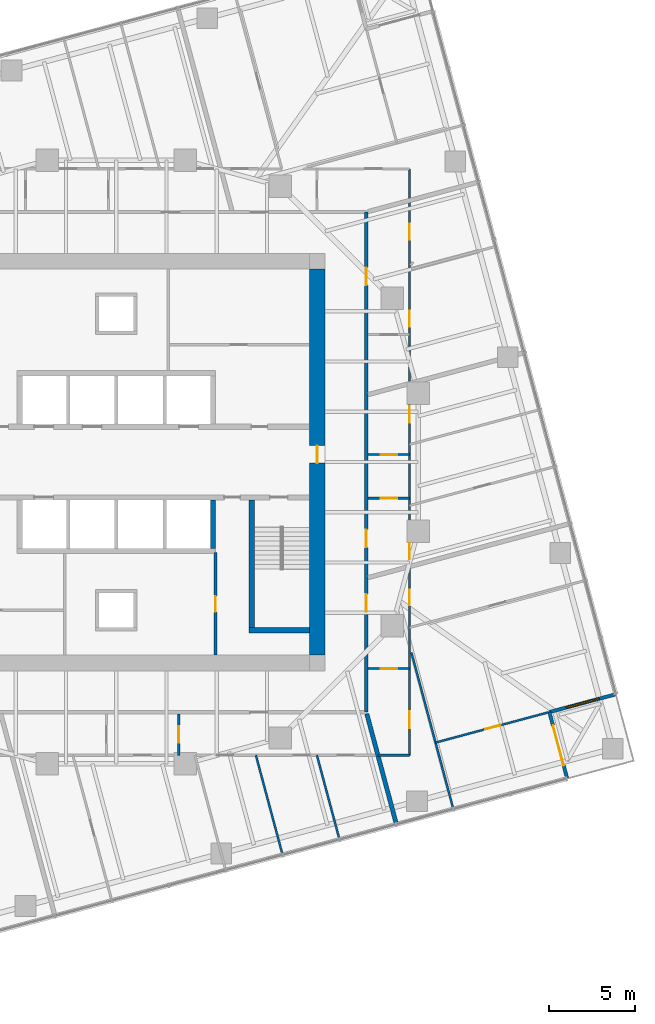
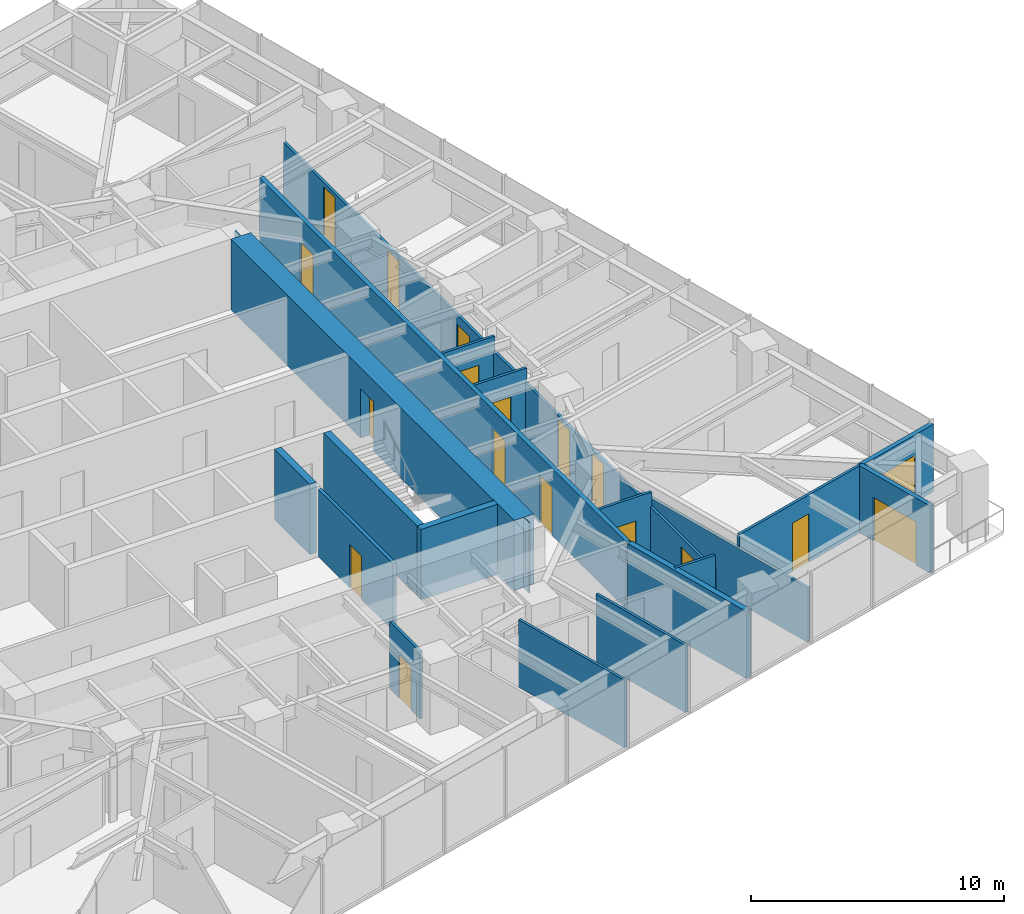
# One storey, part 10 of 14: 19 walls, 17 doors, 1 window, 18 openings.
"""IFC4 building model written with IfcOpenShell, lengths in metres."""

from ifc_helpers import new_model, si_unit, direction, frame, frame_2d, origin, place, context, subcontext, project, spatial, polyline, rectangle, outline, extrude, material, layer, layer_set, type_object, element, fill, save


model = new_model("IFC4")

# Units and contexts
model_context = context("Model", 3, precision=1e-05, world=origin(), true_north=direction((0.0, 1.0)))
body_context = subcontext(model_context, "Body", "Model", "MODEL_VIEW")
ifc_project = project(units=[si_unit("LENGTHUNIT", "METRE"), si_unit("AREAUNIT", "SQUARE_METRE"), si_unit("VOLUMEUNIT", "CUBIC_METRE"), si_unit("PLANEANGLEUNIT", "RADIAN"), si_unit("MASSUNIT", "GRAM", prefix="KILO")], contexts=[model_context])

# Site, building, storey
site_placement = place(None, origin())
site = spatial("IfcSite", under=ifc_project, at=site_placement, CompositionType="ELEMENT")
building_placement = place(site_placement, origin())
building = spatial("IfcBuilding", under=site, at=building_placement, Name="Torsade Residences", CompositionType="ELEMENT")
storey_placement = place(building_placement, frame((0.0, 0.0, 111.60009765625)))
storey = spatial("IfcBuildingStorey", under=building, at=storey_placement, Name="L30", CompositionType="ELEMENT", Elevation=111.60009765625)

# Walls
ifc_material_1 = material(Name="Concrete 80 MPa", Category="concrete")
ifc_layer_1 = layer(ifc_material_1, 0.300048828125)
ifc_layer_set_1 = layer_set([ifc_layer_1], Name="Concrete 80 MPa")
wall_type_1 = type_object("IfcWallType", Name="CORE INTERNAL WALL 300", PredefinedType="SHEAR", material=ifc_layer_set_1)
wall_1_placement = place(storey_placement, frame((45.60009765625, 27.800048828125, 0.0), z_axis=(0.0, 0.0, 1.0), x_axis=(0.0, -1.0, 0.0)))
element("IfcWall", 1, at=wall_1_placement, inside=storey, type_object=wall_type_1, Name="Core wall DS0 L30", PredefinedType="SHEAR", context=body_context, shape_type="SweptSolid", body=[
    extrude(rectangle(XDim=2.800048828125, YDim=0.300048828125, at=frame_2d((1.39990234375, 0.0))), origin(), (0.0, 0.0, 1.0), 3.39990234375),
])
wall_2_placement = place(storey_placement, frame((47.85009765625, 27.800048828125, 0.0), z_axis=(0.0, 0.0, 1.0), x_axis=(0.0, -1.0, 0.0)))
element("IfcWall", 2, at=wall_2_placement, inside=storey, type_object=wall_type_1, Name="Core wall ST2W L30", PredefinedType="SHEAR", context=body_context, shape_type="SweptSolid", body=[
    extrude(rectangle(XDim=7.699951171875, YDim=0.300048828125, at=frame_2d((3.85009765625, 0.0))), origin(), (0.0, 0.0, 1.0), 3.39990234375),
])
wall_3_placement = place(storey_placement, frame((51.199951171875, 20.25, 0.0), z_axis=(0.0, 0.0, 1.0), x_axis=(-1.0, 0.0, 0.0)))
element("IfcWall", 3, at=wall_3_placement, inside=storey, type_object=wall_type_1, Name="Core wall ST2S L30", PredefinedType="SHEAR", context=body_context, shape_type="SweptSolid", body=[
    extrude(rectangle(XDim=3.5, YDim=0.300048828125, at=frame_2d((1.75, 0.0))), origin(), (0.0, 0.0, 1.0), 3.39990234375),
])

# Wall, opening, door
ifc_material_2 = material(Name="Concrete 80 MPa", Category="concrete")
ifc_layer_2 = layer(ifc_material_2, 0.89990234375)
ifc_layer_set_2 = layer_set([ifc_layer_2], Name="Concrete 80 MPa")
wall_type_2 = type_object("IfcWallType", Name="CORE WALL 900", PredefinedType="SHEAR", material=ifc_layer_set_2)
wall_4_placement = place(storey_placement, frame((51.64990234375, 18.800048828125, 0.0), z_axis=(0.0, 0.0, 1.0), x_axis=(0.0, 1.0, 0.0)))
wall_4 = element("IfcWall", 4, at=wall_4_placement, inside=storey, type_object=wall_type_2, Name="Core wall E L30", PredefinedType="SHEAR", context=body_context, shape_type="SweptSolid", body=[
    extrude(outline(polyline([(0.0, -0.449951171875), (22.39990234375, -0.449951171875), (22.39990234375, -0.02490234375), (22.849853515625, -0.02490234375), (22.849853515625, 0.02490234375), (22.39990234375, 0.02490234375), (22.39990234375, 0.449951171875), (0.0, 0.449951171875), (0.0, 0.02490234375), (-0.449951171875, 0.02490234375), (-0.449951171875, -0.02490234375), (0.0, -0.02490234375), (0.0, -0.449951171875)])), origin(), (0.0, 0.0, 1.0), 3.39990234375),
])
opening_1_placement = place(wall_4_placement, frame((11.139892578125, 0.0, 0.0)))
opening_1 = element("IfcOpeningElement", 5, at=opening_1_placement, cuts=wall_4, Name="Opening D04", PredefinedType="OPENING", context=body_context, shape_type="SweptSolid", body=[
    extrude(rectangle(XDim=1.02001953125, YDim=2.39990234375, at=frame_2d((0.510009765625, 1.199951171875))), frame((0.0, 0.4599609375, 0.0), z_axis=(0.0, -1.0, 0.0), x_axis=(1.0, 0.0, 0.0)), (0.0, 0.0, 1.0), 0.919921875),
])
ifc_material_3 = material(Name="Steel-framed fire door", Category="steel")
door_type_1 = type_object("IfcDoorType", Name="LOBBY SMOKE DOOR 1020x2400", OperationType="NOTDEFINED", PredefinedType="DOOR", material=ifc_material_3)
door_1_placement = place(opening_1_placement, origin())
door_1 = element("IfcDoor", 6, at=door_1_placement, inside=storey, type_object=door_type_1, Name="Lift lobby door E L30", OperationType="SINGLE_SWING_LEFT", OverallHeight=2.39990234375, OverallWidth=1.02001953125, PredefinedType="DOOR", context=body_context, shape_type="SweptSolid", body=[
    extrude(rectangle(XDim=1.02001953125, YDim=2.39990234375, at=frame_2d((0.510009765625, 1.199951171875))), frame((0.0, 0.02490234375, 0.0), z_axis=(0.0, -1.0, 0.0), x_axis=(1.0, 0.0, 0.0)), (0.0, 0.0, 1.0), 0.050048828125),
])
fill(opening_1, door_1)

# Wall, openings, doors
ifc_material_4 = material(Name="Plasterboard on steel stud", Category="steel")
ifc_layer_3 = layer(ifc_material_4, 0.199951171875)
ifc_layer_set_3 = layer_set([ifc_layer_3], Name="Plasterboard on steel stud")
wall_type_3 = type_object("IfcWallType", Name="CORRIDOR WALL 200", PredefinedType="PARTITIONING", material=ifc_layer_set_3)
wall_5_placement = place(storey_placement, frame((54.5, 15.5, 0.0), z_axis=(0.0, 0.0, 1.0), x_axis=(0.0, 1.0, 0.0)))
wall_5 = element("IfcWall", 7, at=wall_5_placement, inside=storey, type_object=wall_type_3, Name="Corridor wall L30", PredefinedType="PARTITIONING", context=body_context, shape_type="SweptSolid", body=[
    extrude(rectangle(XDim=29.0, YDim=0.199951171875, at=frame_2d((14.5, 0.0))), origin(), (0.0, 0.0, 1.0), 3.25),
])
opening_2_placement = place(wall_5_placement, frame((24.760009765625, 0.0, 0.0)))
opening_2 = element("IfcOpeningElement", 8, at=opening_2_placement, cuts=wall_5, Name="Opening D01L", PredefinedType="OPENING", context=body_context, shape_type="SweptSolid", body=[
    extrude(rectangle(XDim=1.02001953125, YDim=2.10009765625, at=frame_2d((0.510009765625, 1.050048828125))), frame((0.0, 0.10986328125, 0.0), z_axis=(0.0, -1.0, 0.0), x_axis=(1.0, 0.0, 0.0)), (0.0, 0.0, 1.0), 0.219970703125),
])
opening_3_placement = place(wall_5_placement, frame((5.82861328125, 0.0, 0.0)))
opening_3 = element("IfcOpeningElement", 9, at=opening_3_placement, cuts=wall_5, Name="Opening D01", PredefinedType="OPENING", context=body_context, shape_type="SweptSolid", body=[
    extrude(rectangle(XDim=1.02001953125, YDim=2.340087890625, at=frame_2d((0.510009765625, 1.169921875))), frame((0.0, 0.10986328125, 0.0), z_axis=(0.0, -1.0, 0.0), x_axis=(1.0, 0.0, 0.0)), (0.0, 0.0, 1.0), 0.219970703125),
])
opening_4_placement = place(wall_5_placement, frame((9.559326171875, 0.0, 0.0)))
opening_4 = element("IfcOpeningElement", 10, at=opening_4_placement, cuts=wall_5, Name="Opening D01", PredefinedType="OPENING", context=body_context, shape_type="SweptSolid", body=[
    extrude(rectangle(XDim=1.02001953125, YDim=2.340087890625, at=frame_2d((0.510009765625, 1.169921875))), frame((0.0, 0.10986328125, 0.0), z_axis=(0.0, -1.0, 0.0), x_axis=(1.0, 0.0, 0.0)), (0.0, 0.0, 1.0), 0.219970703125),
])
ifc_material_5 = material(Name="Solid-core timber fire door", Category="wood")
door_type_2 = type_object("IfcDoorType", Name="APARTMENT ENTRY DOOR 1020x2100", OperationType="NOTDEFINED", PredefinedType="DOOR", material=ifc_material_5)
door_2_placement = place(opening_2_placement, origin())
door_2 = element("IfcDoor", 11, at=door_2_placement, inside=storey, type_object=door_type_2, Name="Door Residential corridor to Kitchen and dining", OperationType="SINGLE_SWING_LEFT", OverallHeight=2.10009765625, OverallWidth=1.02001953125, PredefinedType="DOOR", context=body_context, shape_type="SweptSolid", body=[
    extrude(rectangle(XDim=1.02001953125, YDim=2.10009765625, at=frame_2d((0.510009765625, 1.050048828125))), frame((0.0, 0.02490234375, 0.0), z_axis=(0.0, -1.0, 0.0), x_axis=(1.0, 0.0, 0.0)), (0.0, 0.0, 1.0), 0.050048828125),
])
fill(opening_2, door_2)
ifc_material_6 = material(Name="Solid-core timber fire door", Category="wood")
door_type_3 = type_object("IfcDoorType", Name="APARTMENT ENTRY DOOR 1020x2340", OperationType="NOTDEFINED", PredefinedType="DOOR", material=ifc_material_6)
door_3_placement = place(opening_3_placement, origin())
door_3 = element("IfcDoor", 12, at=door_3_placement, inside=storey, type_object=door_type_3, Name="Door Residential corridor to Kitchen and dining", OperationType="SINGLE_SWING_RIGHT", OverallHeight=2.340087890625, OverallWidth=1.02001953125, PredefinedType="DOOR", context=body_context, shape_type="SweptSolid", body=[
    extrude(rectangle(XDim=1.02001953125, YDim=2.340087890625, at=frame_2d((0.510009765625, 1.169921875))), frame((0.0, 0.02490234375, 0.0), z_axis=(0.0, -1.0, 0.0), x_axis=(1.0, 0.0, 0.0)), (0.0, 0.0, 1.0), 0.050048828125),
])
fill(opening_3, door_3)
door_4_placement = place(opening_4_placement, origin())
door_4 = element("IfcDoor", 13, at=door_4_placement, inside=storey, type_object=door_type_3, Name="Door Residential corridor to Kitchen and dining", OperationType="SINGLE_SWING_LEFT", OverallHeight=2.340087890625, OverallWidth=1.02001953125, PredefinedType="DOOR", context=body_context, shape_type="SweptSolid", body=[
    extrude(rectangle(XDim=1.02001953125, YDim=2.340087890625, at=frame_2d((0.510009765625, 1.169921875))), frame((0.0, 0.02490234375, 0.0), z_axis=(0.0, -1.0, 0.0), x_axis=(1.0, 0.0, 0.0)), (0.0, 0.0, 1.0), 0.050048828125),
])
fill(opening_4, door_4)

# Wall, opening, door
ifc_material_7 = material(Name="Plasterboard on steel stud", Category="steel")
ifc_layer_4 = layer(ifc_material_7, 0.1201171875)
ifc_layer_set_4 = layer_set([ifc_layer_4], Name="Plasterboard on steel stud")
wall_type_4 = type_object("IfcWallType", Name="PARTITION 120", PredefinedType="PARTITIONING", material=ifc_layer_set_4)
wall_6_placement = place(storey_placement, frame((43.617919921875, 13.0, 0.0), z_axis=(0.0, 0.0, 1.0), x_axis=(0.0, 1.0, 0.0)))
wall_6 = element("IfcWall", 14, at=wall_6_placement, inside=storey, type_object=wall_type_4, Name="Partition L30", PredefinedType="PARTITIONING", context=body_context, shape_type="SweptSolid", body=[
    extrude(rectangle(XDim=2.39990234375, YDim=0.1201171875, at=frame_2d((1.199951171875, 0.0))), origin(), (0.0, 0.0, 1.0), 3.25),
])
opening_5_placement = place(wall_6_placement, frame((0.719970703125, 0.0, 0.0)))
opening_5 = element("IfcOpeningElement", 15, at=opening_5_placement, cuts=wall_6, Name="Opening D05", PredefinedType="OPENING", context=body_context, shape_type="SweptSolid", body=[
    extrude(rectangle(XDim=0.9599609375, YDim=2.10009765625, at=frame_2d((0.47998046875, 1.050048828125))), frame((0.0, 0.070068359375, 0.0), z_axis=(0.0, -1.0, 0.0), x_axis=(1.0, 0.0, 0.0)), (0.0, 0.0, 1.0), 0.14013671875),
])
ifc_material_8 = material(Name="Hollow-core timber door in a steel cavity frame", Category="steel")
door_type_4 = type_object("IfcDoorType", Name="BATHROOM CAVITY SLIDING DOOR 960", OperationType="SLIDING_TO_LEFT", PredefinedType="DOOR", material=ifc_material_8)
door_5_placement = place(opening_5_placement, origin())
door_5 = element("IfcDoor", 16, at=door_5_placement, inside=storey, type_object=door_type_4, Name="Door Kitchen and dining to Ensuite", OperationType="SLIDING_TO_LEFT", OverallHeight=2.10009765625, OverallWidth=0.9599609375, PredefinedType="DOOR", context=body_context, shape_type="SweptSolid", body=[
    extrude(rectangle(XDim=0.9599609375, YDim=2.10009765625, at=frame_2d((0.47998046875, 1.050048828125))), frame((0.0, 0.02490234375, 0.0), z_axis=(0.0, -1.0, 0.0), x_axis=(1.0, 0.0, 0.0)), (0.0, 0.0, 1.0), 0.050048828125),
])
fill(opening_5, door_5)

# Walls
wall_7_placement = place(storey_placement, frame((48.09228515625, 13.0, 0.0), z_axis=(0.0, 0.0, 1.0), x_axis=(0.258812722515, -0.965927520399, 0.0)))
element("IfcWall", 17, at=wall_7_placement, inside=storey, type_object=wall_type_4, Name="Partition L30", PredefinedType="PARTITIONING", context=body_context, shape_type="SweptSolid", body=[
    extrude(rectangle(XDim=5.94482421875, YDim=0.1201171875, at=frame_2d((2.972412109375, 0.0))), origin(), (0.0, 0.0, 1.0), 3.25),
])
wall_8_placement = place(storey_placement, frame((51.629638671875, 13.0, 0.0), z_axis=(0.0, 0.0, 1.0), x_axis=(0.258789467631, -0.965933751063, 0.0)))
element("IfcWall", 18, at=wall_8_placement, inside=storey, type_object=wall_type_4, Name="Partition L30", PredefinedType="PARTITIONING", context=body_context, shape_type="SweptSolid", body=[
    extrude(rectangle(XDim=5.029296875, YDim=0.1201171875, at=frame_2d((2.5146484375, 0.0))), origin(), (0.0, 0.0, 1.0), 3.25),
])

# Wall, opening, door
wall_9_placement = place(storey_placement, frame((57.0, 18.021484375, 0.0), z_axis=(0.0, 0.0, 1.0), x_axis=(-1.0, 0.0, 0.0)))
wall_9 = element("IfcWall", 19, at=wall_9_placement, inside=storey, type_object=wall_type_4, Name="Partition L30", PredefinedType="PARTITIONING", context=body_context, shape_type="SweptSolid", body=[
    extrude(rectangle(XDim=2.39990234375, YDim=0.1201171875, at=frame_2d((1.199951171875, 0.0))), origin(), (0.0, 0.0, 1.0), 3.25),
])
opening_6_placement = place(wall_9_placement, frame((0.719970703125, 0.0, 0.0)))
opening_6 = element("IfcOpeningElement", 20, at=opening_6_placement, cuts=wall_9, Name="Opening D05", PredefinedType="OPENING", context=body_context, shape_type="SweptSolid", body=[
    extrude(rectangle(XDim=0.9599609375, YDim=2.10009765625, at=frame_2d((0.47998046875, 1.050048828125))), frame((0.0, 0.070068359375, 0.0), z_axis=(0.0, -1.0, 0.0), x_axis=(1.0, 0.0, 0.0)), (0.0, 0.0, 1.0), 0.14013671875),
])
door_6_placement = place(opening_6_placement, origin())
door_6 = element("IfcDoor", 21, at=door_6_placement, inside=storey, type_object=door_type_4, Name="Door Kitchen and dining to Bathroom", OperationType="SLIDING_TO_LEFT", OverallHeight=2.10009765625, OverallWidth=0.9599609375, PredefinedType="DOOR", context=body_context, shape_type="SweptSolid", body=[
    extrude(rectangle(XDim=0.9599609375, YDim=2.10009765625, at=frame_2d((0.47998046875, 1.050048828125))), frame((0.0, 0.02490234375, 0.0), z_axis=(0.0, -1.0, 0.0), x_axis=(1.0, 0.0, 0.0)), (0.0, 0.0, 1.0), 0.050048828125),
])
fill(opening_6, door_6)

# Wall, openings, doors
wall_10_placement = place(storey_placement, frame((57.0, 47.0, 0.0), z_axis=(0.0, 0.0, 1.0), x_axis=(0.0, -1.0, 0.0)))
wall_10 = element("IfcWall", 22, at=wall_10_placement, inside=storey, type_object=wall_type_4, Name="Partition L30", PredefinedType="PARTITIONING", context=body_context, shape_type="SweptSolid", body=[
    extrude(rectangle(XDim=34.0, YDim=0.1201171875, at=frame_2d((17.0, 0.0))), origin(), (0.0, 0.0, 1.0), 2.5498046875),
])
opening_7_placement = place(wall_10_placement, frame((8.230224609375, 0.0, 0.0)))
opening_7 = element("IfcOpeningElement", 23, at=opening_7_placement, cuts=wall_10, Name="Opening D02", PredefinedType="OPENING", context=body_context, shape_type="SweptSolid", body=[
    extrude(rectangle(XDim=0.919921875, YDim=2.340087890625, at=frame_2d((0.4599609375, 1.169921875))), frame((0.0, 0.070068359375, 0.0), z_axis=(0.0, -1.0, 0.0), x_axis=(1.0, 0.0, 0.0)), (0.0, 0.0, 1.0), 0.14013671875),
])
opening_8_placement = place(wall_10_placement, frame((3.19189453125, 0.0, 0.0)))
opening_8 = element("IfcOpeningElement", 24, at=opening_8_placement, cuts=wall_10, Name="Opening D02", PredefinedType="OPENING", context=body_context, shape_type="SweptSolid", body=[
    extrude(rectangle(XDim=0.919921875, YDim=2.340087890625, at=frame_2d((0.4599609375, 1.169921875))), frame((0.0, 0.070068359375, 0.0), z_axis=(0.0, -1.0, 0.0), x_axis=(1.0, 0.0, 0.0)), (0.0, 0.0, 1.0), 0.14013671875),
])
opening_9_placement = place(wall_10_placement, frame((24.390869140625, 0.0, 0.0)))
opening_9 = element("IfcOpeningElement", 25, at=opening_9_placement, cuts=wall_10, Name="Opening D02", PredefinedType="OPENING", context=body_context, shape_type="SweptSolid", body=[
    extrude(rectangle(XDim=0.919921875, YDim=2.340087890625, at=frame_2d((0.4599609375, 1.169921875))), frame((0.0, 0.070068359375, 0.0), z_axis=(0.0, -1.0, 0.0), x_axis=(1.0, 0.0, 0.0)), (0.0, 0.0, 1.0), 0.14013671875),
])
opening_10_placement = place(wall_10_placement, frame((21.701904296875, 0.0, 0.0)))
opening_10 = element("IfcOpeningElement", 26, at=opening_10_placement, cuts=wall_10, Name="Opening D02", PredefinedType="OPENING", context=body_context, shape_type="SweptSolid", body=[
    extrude(rectangle(XDim=0.919921875, YDim=2.340087890625, at=frame_2d((0.4599609375, 1.169921875))), frame((0.0, 0.070068359375, 0.0), z_axis=(0.0, -1.0, 0.0), x_axis=(1.0, 0.0, 0.0)), (0.0, 0.0, 1.0), 0.14013671875),
])
opening_11_placement = place(wall_10_placement, frame((31.459228515625, 0.0, 0.0)))
opening_11 = element("IfcOpeningElement", 27, at=opening_11_placement, cuts=wall_10, Name="Opening D05", PredefinedType="OPENING", context=body_context, shape_type="SweptSolid", body=[
    extrude(rectangle(XDim=0.9599609375, YDim=2.10009765625, at=frame_2d((0.47998046875, 1.050048828125))), frame((0.0, 0.070068359375, 0.0), z_axis=(0.0, -1.0, 0.0), x_axis=(1.0, 0.0, 0.0)), (0.0, 0.0, 1.0), 0.14013671875),
])
opening_12_placement = place(wall_10_placement, frame((13.75927734375, 0.0, 0.0)))
opening_12 = element("IfcOpeningElement", 28, at=opening_12_placement, cuts=wall_10, Name="Opening D05", PredefinedType="OPENING", context=body_context, shape_type="SweptSolid", body=[
    extrude(rectangle(XDim=0.9599609375, YDim=2.10009765625, at=frame_2d((0.47998046875, 1.050048828125))), frame((0.0, 0.070068359375, 0.0), z_axis=(0.0, -1.0, 0.0), x_axis=(1.0, 0.0, 0.0)), (0.0, 0.0, 1.0), 0.14013671875),
])
door_7_placement = place(opening_11_placement, origin())
door_7 = element("IfcDoor", 29, at=door_7_placement, inside=storey, type_object=door_type_4, Name="Door Bathroom to Bedroom 3", OperationType="SLIDING_TO_LEFT", OverallHeight=2.10009765625, OverallWidth=0.9599609375, PredefinedType="DOOR", context=body_context, shape_type="SweptSolid", body=[
    extrude(rectangle(XDim=0.9599609375, YDim=2.10009765625, at=frame_2d((0.47998046875, 1.050048828125))), frame((0.0, 0.02490234375, 0.0), z_axis=(0.0, -1.0, 0.0), x_axis=(1.0, 0.0, 0.0)), (0.0, 0.0, 1.0), 0.050048828125),
])
fill(opening_11, door_7)
door_8_placement = place(opening_12_placement, origin())
door_8 = element("IfcDoor", 30, at=door_8_placement, inside=storey, type_object=door_type_4, Name="Door Bathroom to Bedroom 2", OperationType="SLIDING_TO_LEFT", OverallHeight=2.10009765625, OverallWidth=0.9599609375, PredefinedType="DOOR", context=body_context, shape_type="SweptSolid", body=[
    extrude(rectangle(XDim=0.9599609375, YDim=2.10009765625, at=frame_2d((0.47998046875, 1.050048828125))), frame((0.0, 0.02490234375, 0.0), z_axis=(0.0, -1.0, 0.0), x_axis=(1.0, 0.0, 0.0)), (0.0, 0.0, 1.0), 0.050048828125),
])
fill(opening_12, door_8)
ifc_material_9 = material(Name="Hollow-core timber door", Category="wood")
door_type_5 = type_object("IfcDoorType", Name="INTERNAL DOOR 920x2340", OperationType="NOTDEFINED", PredefinedType="DOOR", material=ifc_material_9)
door_9_placement = place(opening_7_placement, origin())
door_9 = element("IfcDoor", 31, at=door_9_placement, inside=storey, type_object=door_type_5, Name="Door Kitchen and dining to Living room", OperationType="SINGLE_SWING_LEFT", OverallHeight=2.340087890625, OverallWidth=0.919921875, PredefinedType="DOOR", context=body_context, shape_type="SweptSolid", body=[
    extrude(rectangle(XDim=0.919921875, YDim=2.340087890625, at=frame_2d((0.4599609375, 1.169921875))), frame((0.0, 0.02490234375, 0.0), z_axis=(0.0, -1.0, 0.0), x_axis=(1.0, 0.0, 0.0)), (0.0, 0.0, 1.0), 0.050048828125),
])
fill(opening_7, door_9)
door_10_placement = place(opening_8_placement, origin())
door_10 = element("IfcDoor", 32, at=door_10_placement, inside=storey, type_object=door_type_5, Name="Door Kitchen and dining to Bedroom 1", OperationType="SINGLE_SWING_RIGHT", OverallHeight=2.340087890625, OverallWidth=0.919921875, PredefinedType="DOOR", context=body_context, shape_type="SweptSolid", body=[
    extrude(rectangle(XDim=0.919921875, YDim=2.340087890625, at=frame_2d((0.4599609375, 1.169921875))), frame((0.0, 0.02490234375, 0.0), z_axis=(0.0, -1.0, 0.0), x_axis=(1.0, 0.0, 0.0)), (0.0, 0.0, 1.0), 0.050048828125),
])
fill(opening_8, door_10)
door_11_placement = place(opening_9_placement, origin())
door_11 = element("IfcDoor", 33, at=door_11_placement, inside=storey, type_object=door_type_5, Name="Door Kitchen and dining to Bedroom 1", OperationType="SINGLE_SWING_RIGHT", OverallHeight=2.340087890625, OverallWidth=0.919921875, PredefinedType="DOOR", context=body_context, shape_type="SweptSolid", body=[
    extrude(rectangle(XDim=0.919921875, YDim=2.340087890625, at=frame_2d((0.4599609375, 1.169921875))), frame((0.0, 0.02490234375, 0.0), z_axis=(0.0, -1.0, 0.0), x_axis=(1.0, 0.0, 0.0)), (0.0, 0.0, 1.0), 0.050048828125),
])
fill(opening_9, door_11)
door_12_placement = place(opening_10_placement, origin())
door_12 = element("IfcDoor", 34, at=door_12_placement, inside=storey, type_object=door_type_5, Name="Door Kitchen and dining to Living room", OperationType="SINGLE_SWING_LEFT", OverallHeight=2.340087890625, OverallWidth=0.919921875, PredefinedType="DOOR", context=body_context, shape_type="SweptSolid", body=[
    extrude(rectangle(XDim=0.919921875, YDim=2.340087890625, at=frame_2d((0.4599609375, 1.169921875))), frame((0.0, 0.02490234375, 0.0), z_axis=(0.0, -1.0, 0.0), x_axis=(1.0, 0.0, 0.0)), (0.0, 0.0, 1.0), 0.050048828125),
])
fill(opening_10, door_12)

# Wall
wall_11_placement = place(storey_placement, frame((57.0, 13.0, 0.0), z_axis=(0.0, 0.0, 1.0), x_axis=(-1.0, 0.0, 0.0)))
element("IfcWall", 35, at=wall_11_placement, inside=storey, type_object=wall_type_4, Name="Partition L30", PredefinedType="PARTITIONING", context=body_context, shape_type="SweptSolid", body=[
    extrude(rectangle(XDim=1.833251953125, YDim=0.1201171875, at=frame_2d((0.91650390625, 0.0))), origin(), (0.0, 0.0, 1.0), 3.25),
])

# Wall, opening, door
wall_12_placement = place(storey_placement, frame((65.068603515625, 15.493896484375, 0.0), z_axis=(0.0, 0.0, 1.0), x_axis=(-0.965922865286, -0.258830095464, 0.0)))
wall_12 = element("IfcWall", 36, at=wall_12_placement, inside=storey, type_object=wall_type_4, Name="Partition L30", PredefinedType="PARTITIONING", context=body_context, shape_type="SweptSolid", body=[
    extrude(rectangle(XDim=6.793212890625, YDim=0.1201171875, at=frame_2d((3.396484375, 0.0))), origin(), (0.0, 0.0, 1.0), 3.25),
])
opening_13_placement = place(wall_12_placement, frame((2.8916015625, 0.0, 0.0)))
opening_13 = element("IfcOpeningElement", 37, at=opening_13_placement, cuts=wall_12, Name="Opening D02", PredefinedType="OPENING", context=body_context, shape_type="SweptSolid", body=[
    extrude(rectangle(XDim=0.919921875, YDim=2.340087890625, at=frame_2d((0.4599609375, 1.169921875))), frame((0.0, 0.070068359375, 0.0), z_axis=(0.0, -1.0, 0.0), x_axis=(1.0, 0.0, 0.0)), (0.0, 0.0, 1.0), 0.14013671875),
])
door_13_placement = place(opening_13_placement, origin())
door_13 = element("IfcDoor", 38, at=door_13_placement, inside=storey, type_object=door_type_5, Name="Door Living room to Bedroom 2", OperationType="SINGLE_SWING_LEFT", OverallHeight=2.340087890625, OverallWidth=0.919921875, PredefinedType="DOOR", context=body_context, shape_type="SweptSolid", body=[
    extrude(rectangle(XDim=0.919921875, YDim=2.340087890625, at=frame_2d((0.4599609375, 1.169921875))), frame((0.0, 0.02490234375, 0.0), z_axis=(0.0, -1.0, 0.0), x_axis=(1.0, 0.0, 0.0)), (0.0, 0.0, 1.0), 0.050048828125),
])
fill(opening_13, door_13)

# Wall
wall_13_placement = place(storey_placement, frame((59.53173828125, 9.91064453125, 0.0), z_axis=(0.0, 0.0, 1.0), x_axis=(-0.25881390457, 0.965927203676, 0.0)))
element("IfcWall", 39, at=wall_13_placement, inside=storey, type_object=wall_type_4, Name="Partition L30", PredefinedType="PARTITIONING", context=body_context, shape_type="SweptSolid", body=[
    extrude(rectangle(XDim=9.356689453125, YDim=0.1201171875, at=frame_2d((4.67822265625, 0.0))), origin(), (0.0, 0.0, 1.0), 2.637939453125),
])

# Wall, opening, door
wall_14_placement = place(storey_placement, frame((54.60009765625, 27.900634765625, 0.0), z_axis=(0.0, 0.0, 1.0), x_axis=(1.0, 0.0, 0.0)))
wall_14 = element("IfcWall", 40, at=wall_14_placement, inside=storey, type_object=wall_type_4, Name="Partition L30", PredefinedType="PARTITIONING", context=body_context, shape_type="SweptSolid", body=[
    extrude(rectangle(XDim=2.39990234375, YDim=0.1201171875, at=frame_2d((1.199951171875, 0.0))), origin(), (0.0, 0.0, 1.0), 3.25),
])
opening_14_placement = place(wall_14_placement, frame((0.719970703125, 0.0, 0.0)))
opening_14 = element("IfcOpeningElement", 41, at=opening_14_placement, cuts=wall_14, Name="Opening D05", PredefinedType="OPENING", context=body_context, shape_type="SweptSolid", body=[
    extrude(rectangle(XDim=0.9599609375, YDim=2.10009765625, at=frame_2d((0.47998046875, 1.050048828125))), frame((0.0, 0.070068359375, 0.0), z_axis=(0.0, -1.0, 0.0), x_axis=(1.0, 0.0, 0.0)), (0.0, 0.0, 1.0), 0.14013671875),
])
door_14_placement = place(opening_14_placement, origin())
door_14 = element("IfcDoor", 42, at=door_14_placement, inside=storey, type_object=door_type_4, Name="Door Kitchen and dining to Ensuite", OperationType="SLIDING_TO_LEFT", OverallHeight=2.10009765625, OverallWidth=0.9599609375, PredefinedType="DOOR", context=body_context, shape_type="SweptSolid", body=[
    extrude(rectangle(XDim=0.9599609375, YDim=2.10009765625, at=frame_2d((0.47998046875, 1.050048828125))), frame((0.0, 0.02490234375, 0.0), z_axis=(0.0, -1.0, 0.0), x_axis=(1.0, 0.0, 0.0)), (0.0, 0.0, 1.0), 0.050048828125),
])
fill(opening_14, door_14)

wall_15_placement = place(storey_placement, frame((57.0, 30.4296875, 0.0), z_axis=(0.0, 0.0, 1.0), x_axis=(-1.0, 0.0, 0.0)))
wall_15 = element("IfcWall", 43, at=wall_15_placement, inside=storey, type_object=wall_type_4, Name="Partition L30", PredefinedType="PARTITIONING", context=body_context, shape_type="SweptSolid", body=[
    extrude(rectangle(XDim=2.39990234375, YDim=0.1201171875, at=frame_2d((1.199951171875, 0.0))), origin(), (0.0, 0.0, 1.0), 3.25),
])
opening_15_placement = place(wall_15_placement, frame((0.719970703125, 0.0, 0.0)))
opening_15 = element("IfcOpeningElement", 44, at=opening_15_placement, cuts=wall_15, Name="Opening D05", PredefinedType="OPENING", context=body_context, shape_type="SweptSolid", body=[
    extrude(rectangle(XDim=0.9599609375, YDim=2.10009765625, at=frame_2d((0.47998046875, 1.050048828125))), frame((0.0, 0.070068359375, 0.0), z_axis=(0.0, -1.0, 0.0), x_axis=(1.0, 0.0, 0.0)), (0.0, 0.0, 1.0), 0.14013671875),
])
door_15_placement = place(opening_15_placement, origin())
door_15 = element("IfcDoor", 45, at=door_15_placement, inside=storey, type_object=door_type_4, Name="Door Ensuite to Bathroom", OperationType="SLIDING_TO_LEFT", OverallHeight=2.10009765625, OverallWidth=0.9599609375, PredefinedType="DOOR", context=body_context, shape_type="SweptSolid", body=[
    extrude(rectangle(XDim=0.9599609375, YDim=2.10009765625, at=frame_2d((0.47998046875, 1.050048828125))), frame((0.0, 0.02490234375, 0.0), z_axis=(0.0, -1.0, 0.0), x_axis=(1.0, 0.0, 0.0)), (0.0, 0.0, 1.0), 0.050048828125),
])
fill(opening_15, door_15)

# Wall
ifc_material_10 = material(Name="Masonry-lined stud party wall", Category="masonry")
ifc_layer_5 = layer(ifc_material_10, 0.25)
ifc_layer_set_5 = layer_set([ifc_layer_5], Name="Masonry-lined stud party wall")
wall_type_5 = type_object("IfcWallType", Name="PARTY WALL 250", PredefinedType="PARTITIONING", material=ifc_layer_set_5)
wall_16_placement = place(storey_placement, frame((56.24169921875, 8.98779296875, 0.0), z_axis=(0.0, 0.0, 1.0), x_axis=(-0.25880587229, 0.965929355837, 0.0)))
element("IfcWall", 46, at=wall_16_placement, inside=storey, type_object=wall_type_5, Name="Party wall L30", PredefinedType="PARTITIONING", context=body_context, shape_type="SweptSolid", body=[
    extrude(rectangle(XDim=6.644775390625, YDim=0.25, at=frame_2d((3.322265625, 0.0))), origin(), (0.0, 0.0, 1.0), 3.25),
])

# Wall, opening, door
ifc_material_11 = material(Name="Reinforced blockwork", Category="masonry")
ifc_layer_6 = layer(ifc_material_11, 0.14990234375)
ifc_layer_set_6 = layer_set([ifc_layer_6], Name="Reinforced blockwork")
wall_type_6 = type_object("IfcWallType", Name="SERVICE ROOM WALL 150", PredefinedType="SOLIDWALL", material=ifc_layer_set_6)
wall_17_placement = place(storey_placement, frame((45.75, 18.800048828125, 0.0), z_axis=(0.0, 0.0, 1.0), x_axis=(0.0, 1.0, 0.0)))
wall_17 = element("IfcWall", 47, at=wall_17_placement, inside=storey, type_object=wall_type_6, Name="Service room wall L30", PredefinedType="SOLIDWALL", context=body_context, shape_type="SweptSolid", body=[
    extrude(rectangle(XDim=5.949951171875, YDim=0.14990234375, at=frame_2d((2.97509765625, 0.0))), origin(), (0.0, 0.0, 1.0), 3.25),
])
opening_16_placement = place(wall_17_placement, frame((2.514892578125, 0.0, 0.0)))
opening_16 = element("IfcOpeningElement", 48, at=opening_16_placement, cuts=wall_17, Name="Opening D06", PredefinedType="OPENING", context=body_context, shape_type="SweptSolid", body=[
    extrude(rectangle(XDim=0.919921875, YDim=2.10009765625, at=frame_2d((0.4599609375, 1.050048828125))), frame((0.0, 0.0849609375, 0.0), z_axis=(0.0, -1.0, 0.0), x_axis=(1.0, 0.0, 0.0)), (0.0, 0.0, 1.0), 0.169921875),
])
ifc_material_12 = material(Name="Steel-framed fire door", Category="steel")
door_type_6 = type_object("IfcDoorType", Name="FIRE DOOR 920", OperationType="NOTDEFINED", PredefinedType="DOOR", material=ifc_material_12)
door_16_placement = place(opening_16_placement, origin())
door_16 = element("IfcDoor", 49, at=door_16_placement, inside=storey, type_object=door_type_6, Name="Door Security and data store to Communications riser room", OperationType="SINGLE_SWING_LEFT", OverallHeight=2.10009765625, OverallWidth=0.919921875, PredefinedType="DOOR", context=body_context, shape_type="SweptSolid", body=[
    extrude(rectangle(XDim=0.919921875, YDim=2.10009765625, at=frame_2d((0.4599609375, 1.050048828125))), frame((0.0, 0.02490234375, 0.0), z_axis=(0.0, -1.0, 0.0), x_axis=(1.0, 0.0, 0.0)), (0.0, 0.0, 1.0), 0.050048828125),
])
fill(opening_16, door_16)

ifc_material_13 = material(Name="Stone-faced precast concrete 40 MPa panel", Category="masonry")
ifc_layer_7 = layer(ifc_material_13, 0.199951171875)
ifc_layer_set_7 = layer_set([ifc_layer_7], Name="Stone-faced precast concrete 40 MPa panel")
wall_type_7 = type_object("IfcWallType", Name="TERRACE WALL 200", PredefinedType="SOLIDWALL", material=ifc_layer_set_7)
wall_18_placement = place(storey_placement, frame((66.142578125, 11.640625, 0.0), z_axis=(0.0, 0.0, 1.0), x_axis=(-0.258843877716, 0.965919172068, 0.0)))
wall_18 = element("IfcWall", 50, at=wall_18_placement, inside=storey, type_object=wall_type_7, Name="Terrace wall L30 2", PredefinedType="SOLIDWALL", context=body_context, shape_type="SweptSolid", body=[
    extrude(rectangle(XDim=4.0, YDim=0.199951171875, at=frame_2d((2.0, 0.0))), origin(), (0.0, 0.0, 1.0), 3.25),
])
opening_17_placement = place(wall_18_placement, frame((0.800048828125, 0.0, 0.0)))
opening_17 = element("IfcOpeningElement", 51, at=opening_17_placement, cuts=wall_18, Name="Opening D10A", PredefinedType="OPENING", context=body_context, shape_type="SweptSolid", body=[
    extrude(rectangle(XDim=2.39990234375, YDim=2.10009765625, at=frame_2d((1.199951171875, 1.050048828125))), frame((0.0, 0.10986328125, 0.0), z_axis=(0.0, -1.0, 0.0), x_axis=(1.0, 0.0, 0.0)), (0.0, 0.0, 1.0), 0.219970703125),
])
ifc_material_14 = material(Name="Aluminium-framed glass door", Category="aluminium")
door_type_7 = type_object("IfcDoorType", Name="TERRACE SLIDING DOOR 2400x2100", OperationType="SLIDING_TO_LEFT", PredefinedType="DOOR", material=ifc_material_14)
door_17_placement = place(opening_17_placement, origin())
door_17 = element("IfcDoor", 52, at=door_17_placement, inside=storey, type_object=door_type_7, Name="Terrace door L30 2", OperationType="SLIDING_TO_LEFT", OverallHeight=2.10009765625, OverallWidth=2.39990234375, PredefinedType="DOOR", context=body_context, shape_type="SweptSolid", body=[
    extrude(rectangle(XDim=2.39990234375, YDim=2.10009765625, at=frame_2d((1.199951171875, 1.050048828125))), frame((0.0, 0.02490234375, 0.0), z_axis=(0.0, -1.0, 0.0), x_axis=(1.0, 0.0, 0.0)), (0.0, 0.0, 1.0), 0.050048828125),
])
fill(opening_17, door_17)

# Wall, opening, window
wall_19_placement = place(storey_placement, frame((65.107177734375, 15.50439453125, 0.0), z_axis=(0.0, 0.0, 1.0), x_axis=(0.965934430412, 0.258786931944, 0.0)))
wall_19 = element("IfcWall", 53, at=wall_19_placement, inside=storey, type_object=wall_type_7, Name="Terrace wall L30 3", PredefinedType="SOLIDWALL", context=body_context, shape_type="SweptSolid", body=[
    extrude(rectangle(XDim=4.0, YDim=0.199951171875, at=frame_2d((2.0, 0.0))), origin(), (0.0, 0.0, 1.0), 3.25),
])
opening_18_placement = place(wall_19_placement, frame((1.0, 0.0, 0.449951171875)))
opening_18 = element("IfcOpeningElement", 54, at=opening_18_placement, cuts=wall_19, Name="Opening W1B", PredefinedType="OPENING", context=body_context, shape_type="SweptSolid", body=[
    extrude(rectangle(XDim=2.0, YDim=1.800048828125, at=frame_2d((1.0, 0.89990234375))), frame((0.0, 0.10986328125, 0.0), z_axis=(0.0, -1.0, 0.0), x_axis=(1.0, 0.0, 0.0)), (0.0, 0.0, 1.0), 0.219970703125),
])
ifc_material_15 = material(Name="Aluminium-framed glass window", Category="aluminium")
window_type = type_object("IfcWindowType", Name="TERRACE WINDOW 2000x1800", PartitioningType="SINGLE_PANEL", PredefinedType="WINDOW", material=ifc_material_15)
window_placement = place(opening_18_placement, origin())
window = element("IfcWindow", 55, at=window_placement, inside=storey, type_object=window_type, Name="Terrace window L30 3", OverallHeight=1.800048828125, OverallWidth=2.0, PartitioningType="SINGLE_PANEL", PredefinedType="WINDOW", context=body_context, shape_type="SweptSolid", body=[
    extrude(rectangle(XDim=2.0, YDim=1.800048828125, at=frame_2d((1.0, 0.89990234375))), frame((0.0, 0.030029296875, 0.0), z_axis=(0.0, -1.0, 0.0), x_axis=(1.0, 0.0, 0.0)), (0.0, 0.0, 1.0), 0.06005859375),
])
fill(opening_18, window)

save(model, "model.ifc")
